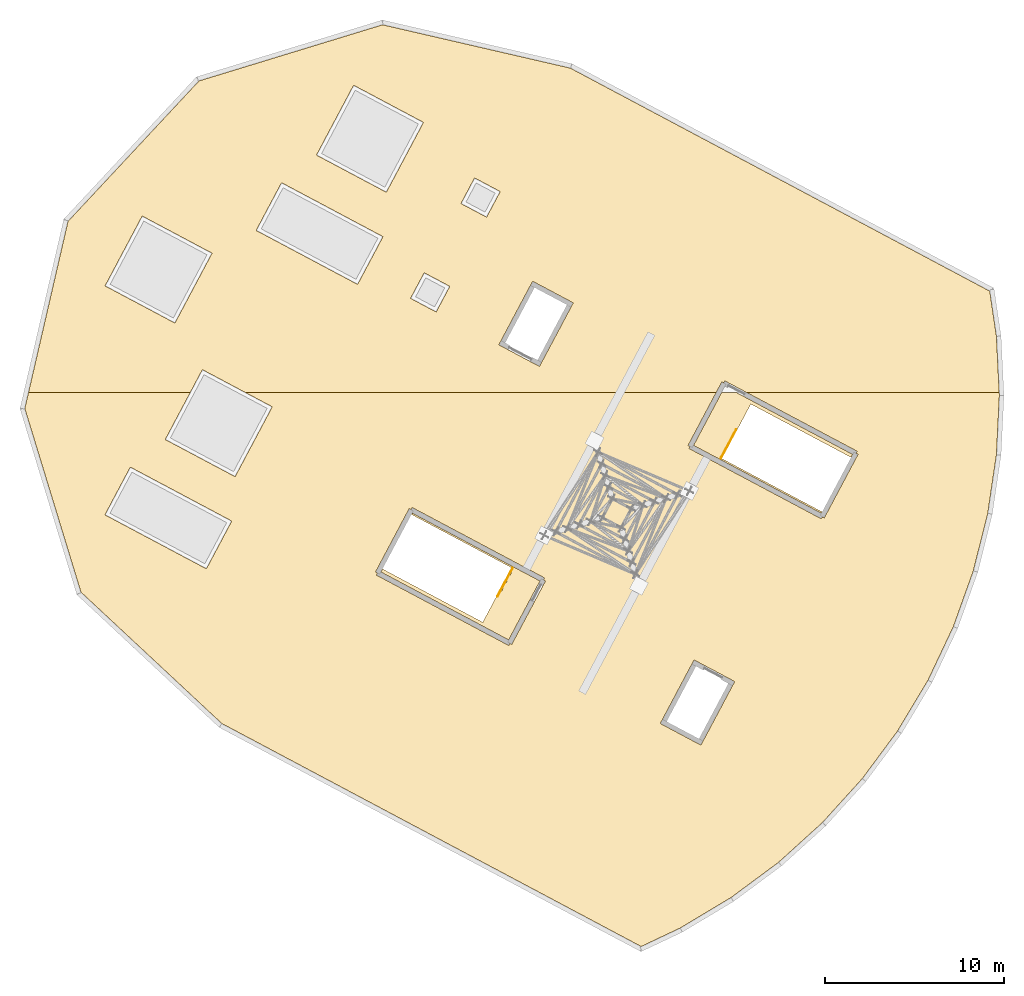
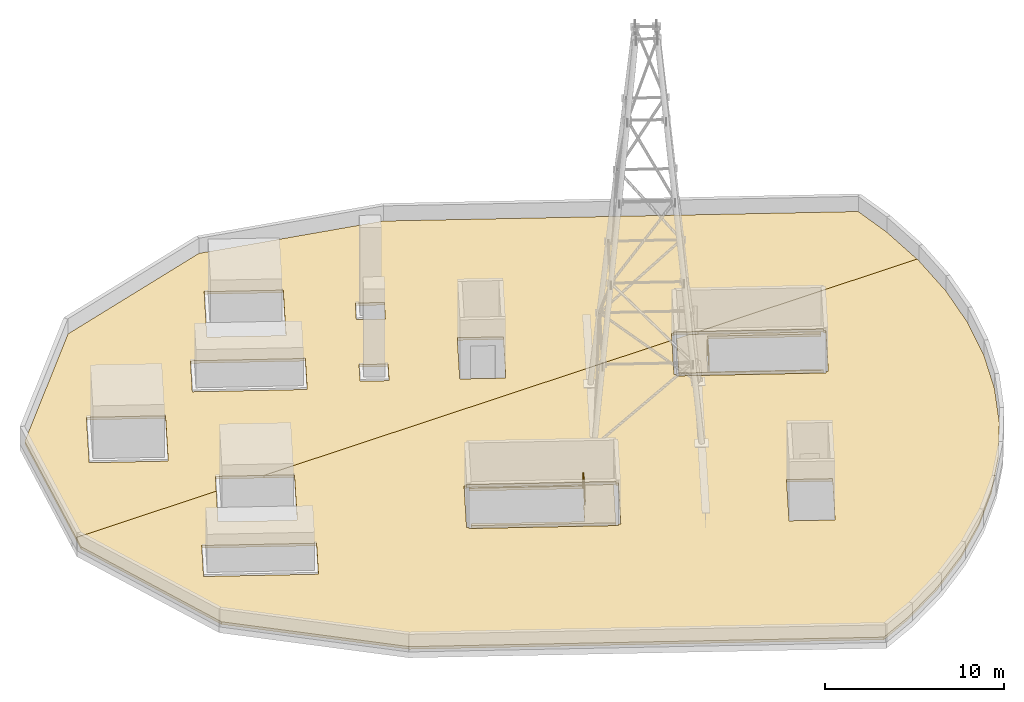
# One storey, part 4 of 5: 4 coverings, 2 railings.
"""IFC4 building model written with IfcOpenShell, lengths in metres."""

from ifc_helpers import new_model, si_unit, direction, frame, origin, place, context, subcontext, project, spatial, polyline, outline, extrude, material, layer, layer_set, type_object, element, save


model = new_model("IFC4")

# Units and contexts
model_context = context("Model", 3, precision=1e-05, world=origin(), true_north=direction((0.0, 1.0)))
body_context = subcontext(model_context, "Body", "Model", "MODEL_VIEW")
ifc_project = project(units=[si_unit("LENGTHUNIT", "METRE"), si_unit("AREAUNIT", "SQUARE_METRE"), si_unit("VOLUMEUNIT", "CUBIC_METRE"), si_unit("PLANEANGLEUNIT", "RADIAN"), si_unit("MASSUNIT", "GRAM", prefix="KILO")], contexts=[model_context])

# Site, building, storey
site_placement = place(None, origin())
site = spatial("IfcSite", under=ifc_project, at=site_placement, CompositionType="ELEMENT")
building_placement = place(site_placement, origin())
building = spatial("IfcBuilding", under=site, at=building_placement, Name="Cormorant Relay Tower", CompositionType="ELEMENT")
storey_placement = place(building_placement, frame((0.0, 0.0, 357.60009765625)))
storey = spatial("IfcBuildingStorey", under=building, at=storey_placement, Name="RF", CompositionType="ELEMENT", Elevation=357.60009765625)

# Coverings
ifc_material_1 = material(Name="Bituminous waterproof membrane on mineral wool insulation")
ifc_layer = layer(ifc_material_1, 0.179931640625)
ifc_layer_set = layer_set([ifc_layer], Name="Roof membrane and insulation 180")
covering_type = type_object("IfcCoveringType", Name="Roof membrane and insulation 180", PredefinedType="ROOFING", material=ifc_layer_set)
covering_1_placement = place(storey_placement, origin())
element("IfcCovering", 1, at=covering_1_placement, inside=storey, type_object=covering_type, Name="Roof membrane", PredefinedType="ROOFING", context=body_context, shape_type="SweptSolid", body=[
    extrude(outline(polyline([(-6.00146484375, 21.300048828125), (-5.992919921875, 21.126220703125), (-6.155517578125, 17.819091796875), (-6.641357421875, 14.5439453125), (-7.44580078125, 11.33203125), (-8.561279296875, 8.214599609375), (-9.976806640625, 5.221435546875), (-11.67919921875, 2.381591796875), (-13.651611328125, -0.278076171875), (-15.875, -2.731201171875), (-18.328369140625, -4.954833984375), (-20.98779296875, -6.92724609375), (-23.827880859375, -8.62939453125), (-26.00830078125, -9.66064453125), (-49.439208984375, 2.7978515625), (-57.3134765625, 10.140625), (-60.45068359375, 20.402587890625), (-60.24365234375, 21.300048828125), (-51.203857421875, 21.300048828125), (-52.601806640625, 18.670654296875), (-48.69921875, 16.595458984375), (-46.624267578125, 20.498046875), (-48.13232421875, 21.300048828125), (-21.813720703125, 21.300048828125), (-23.38671875, 18.34130859375), (-23.2763671875, 18.28271484375), (-23.335205078125, 18.172119140625), (-15.944580078125, 14.24267578125), (-15.885986328125, 14.35302734375), (-15.775634765625, 14.29443359375), (-13.888427734375, 17.843994140625), (-13.998779296875, 17.902587890625), (-13.940185546875, 18.012939453125), (-20.1220703125, 21.300048828125), (-6.00146484375, 21.300048828125)]), holes=[polyline([(-20.78271484375, 5.14404296875), (-23.052001953125, 6.3505859375), (-23.173828125, 6.12109375), (-24.8125, 3.03955078125), (-24.8125, 3.03955078125), (-24.939208984375, 2.801025390625), (-22.669921875, 1.594482421875), (-22.5478515625, 1.82421875), (-20.900146484375, 4.92333984375), (-20.900146484375, 4.92333984375), (-20.78271484375, 5.14404296875)]), polyline([(-40.743896484375, 11.20458984375), (-40.802490234375, 11.09423828125), (-33.412353515625, 7.164794921875), (-33.353759765625, 7.275146484375), (-33.243408203125, 7.21630859375), (-31.35595703125, 10.765869140625), (-31.46630859375, 10.82470703125), (-31.40771484375, 10.93505859375), (-38.798095703125, 14.864501953125), (-38.856689453125, 14.754150390625), (-38.967041015625, 14.812744140625), (-40.854248046875, 11.26318359375), (-40.743896484375, 11.20458984375)]), polyline([(-50.3046875, 11.4462890625), (-48.88671875, 14.11279296875), (-54.55517578125, 17.126953125), (-55.972900390625, 14.46044921875), (-50.3046875, 11.4462890625)])]), origin(), (0.0, 0.0, 1.0), 0.179931640625),
])
covering_2_placement = place(storey_placement, origin())
element("IfcCovering", 2, at=covering_2_placement, inside=storey, type_object=covering_type, Name="Roof membrane", PredefinedType="ROOFING", context=body_context, shape_type="SweptSolid", body=[
    extrude(outline(polyline([(-20.697265625, 21.300048828125), (-14.19482421875, 17.8427734375), (-14.2841796875, 17.6748046875), (-19.882080078125, 20.6513671875), (-20.64111328125, 19.2236328125), (-20.64111328125, 19.22412109375), (-20.64208984375, 19.229736328125), (-20.643310546875, 19.235595703125), (-20.6455078125, 19.240966796875), (-20.64794921875, 19.246337890625), (-20.65087890625, 19.25146484375), (-20.654541015625, 19.256103515625), (-20.658447265625, 19.260498046875), (-20.662841796875, 19.264404296875), (-20.66748046875, 19.267822265625), (-20.672607421875, 19.27099609375), (-20.677978515625, 19.2734375), (-20.68359375, 19.275390625), (-20.689208984375, 19.27685546875), (-20.695068359375, 19.277587890625), (-20.700927734375, 19.278076171875), (-20.706787109375, 19.277587890625), (-20.712646484375, 19.27685546875), (-20.71826171875, 19.275390625), (-20.723876953125, 19.273193359375), (-20.729248046875, 19.270751953125), (-20.734130859375, 19.267822265625), (-20.739013671875, 19.264404296875), (-20.743408203125, 19.26025390625), (-20.747314453125, 19.255859375), (-20.750732421875, 19.251220703125), (-20.753662109375, 19.246337890625), (-21.598876953125, 17.656494140625), (-21.601318359375, 17.651611328125), (-21.603271484375, 17.64599609375), (-21.604736328125, 17.64013671875), (-21.605712890625, 17.634521484375), (-21.60595703125, 17.62841796875), (-21.605712890625, 17.62255859375), (-21.604736328125, 17.61669921875), (-21.603271484375, 17.611083984375), (-21.601318359375, 17.605712890625), (-21.5986328125, 17.60009765625), (-21.595703125, 17.59521484375), (-21.59228515625, 17.590576171875), (-21.588134765625, 17.586181640625), (-21.583740234375, 17.582275390625), (-21.5791015625, 17.57861328125), (-21.573974609375, 17.57568359375), (-21.568603515625, 17.572998046875), (-21.56298828125, 17.5712890625), (-21.557373046875, 17.56982421875), (-21.551513671875, 17.56884765625), (-21.545654296875, 17.568603515625), (-21.539794921875, 17.56884765625), (-21.533935546875, 17.56982421875), (-21.5283203125, 17.5712890625), (-21.522705078125, 17.5732421875), (-21.517333984375, 17.57568359375), (-21.512451171875, 17.578857421875), (-21.5078125, 17.582275390625), (-21.50341796875, 17.586181640625), (-21.49951171875, 17.5908203125), (-21.495849609375, 17.595458984375), (-21.492919921875, 17.600341796875), (-21.492919921875, 17.6005859375), (-15.90380859375, 14.628662109375), (-15.946044921875, 14.54931640625), (-23.080322265625, 18.342529296875), (-21.5078125, 21.300048828125), (-20.697265625, 21.300048828125)])), origin(), (0.0, 0.0, 1.0), 0.179931640625),
])
covering_3_placement = place(storey_placement, origin())
element("IfcCovering", 3, at=covering_3_placement, inside=storey, type_object=covering_type, Name="Roof membrane", PredefinedType="ROOFING", context=body_context, shape_type="SweptSolid", body=[
    extrude(outline(polyline([(-34.101806640625, 9.88330078125), (-34.101806640625, 9.88330078125), (-34.100830078125, 9.87744140625), (-34.099365234375, 9.87158203125), (-34.097412109375, 9.8662109375), (-34.0947265625, 9.86083984375), (-34.091796875, 9.855712890625), (-34.08837890625, 9.85107421875), (-34.084228515625, 9.8466796875), (-34.079833984375, 9.8427734375), (-34.0751953125, 9.83935546875), (-34.070068359375, 9.836181640625), (-34.064697265625, 9.833740234375), (-34.05908203125, 9.831787109375), (-34.053466796875, 9.830322265625), (-34.047607421875, 9.82958984375), (-34.041748046875, 9.829345703125), (-34.035888671875, 9.82958984375), (-34.030029296875, 9.83056640625), (-34.0244140625, 9.831787109375), (-34.018798828125, 9.833984375), (-34.013427734375, 9.83642578125), (-34.008544921875, 9.839599609375), (-34.00390625, 9.843017578125), (-33.99951171875, 9.846923828125), (-33.99560546875, 9.851318359375), (-33.991943359375, 9.856201171875), (-33.989013671875, 9.86083984375), (-33.143798828125, 11.45068359375), (-33.141357421875, 11.455810546875), (-33.139404296875, 11.461181640625), (-33.137939453125, 11.467041015625), (-33.13720703125, 11.472900390625), (-33.136962890625, 11.478759765625), (-33.13720703125, 11.484619140625), (-33.13818359375, 11.490478515625), (-33.139404296875, 11.49609375), (-33.1416015625, 11.501708984375), (-33.14404296875, 11.507080078125), (-33.147216796875, 11.511962890625), (-33.150634765625, 11.516845703125), (-33.154541015625, 11.52099609375), (-33.158935546875, 11.525146484375), (-33.163818359375, 11.528564453125), (-33.168701171875, 11.531494140625), (-33.174072265625, 11.5341796875), (-33.1796875, 11.5361328125), (-33.185302734375, 11.53759765625), (-33.191162109375, 11.538330078125), (-33.197021484375, 11.53857421875), (-33.202880859375, 11.538330078125), (-33.208740234375, 11.537353515625), (-33.21435546875, 11.535888671875), (-33.219970703125, 11.533935546875), (-33.225341796875, 11.531494140625), (-33.23046875, 11.5283203125), (-33.235107421875, 11.52490234375), (-33.239501953125, 11.52099609375), (-33.243408203125, 11.5166015625), (-33.246826171875, 11.51171875), (-33.249755859375, 11.507080078125), (-33.25, 11.5068359375), (-38.839111328125, 14.478515625), (-38.796630859375, 14.55810546875), (-31.662353515625, 10.7646484375), (-33.41357421875, 7.47119140625), (-40.5478515625, 11.2646484375), (-40.45849609375, 11.432373046875), (-34.860595703125, 8.455810546875), (-34.101806640625, 9.88330078125)])), origin(), (0.0, 0.0, 1.0), 0.179931640625),
])
covering_4_placement = place(storey_placement, origin())
element("IfcCovering", 4, at=covering_4_placement, inside=storey, type_object=covering_type, Name="Roof membrane", PredefinedType="ROOFING", context=body_context, shape_type="SweptSolid", body=[
    extrude(outline(polyline([(-60.24365234375, 21.300048828125), (-58.036865234375, 30.85888671875), (-50.71826171875, 38.70703125), (-40.4560546875, 41.844482421875), (-29.965576171875, 39.422607421875), (-6.530517578125, 26.9619140625), (-6.155517578125, 24.433349609375), (-6.00146484375, 21.300048828125), (-20.1220703125, 21.300048828125), (-21.33056640625, 21.9423828125), (-21.38916015625, 21.83203125), (-21.49951171875, 21.890869140625), (-21.813720703125, 21.300048828125), (-48.13232421875, 21.300048828125), (-50.52685546875, 22.572998046875), (-51.203857421875, 21.300048828125), (-60.24365234375, 21.300048828125)]), holes=[polyline([(-33.837890625, 24.19287109375), (-33.9599609375, 23.963134765625), (-31.69091796875, 22.756591796875), (-31.573486328125, 22.977294921875), (-31.573486328125, 22.977294921875), (-29.930419921875, 26.067626953125), (-29.930419921875, 26.067626953125), (-29.8037109375, 26.30615234375), (-32.07275390625, 27.5126953125), (-32.199462890625, 27.2744140625), (-32.199462890625, 27.2744140625), (-33.837890625, 24.19287109375)]), polyline([(-34.64697265625, 31.095703125), (-33.886474609375, 32.52587890625), (-35.31689453125, 33.28662109375), (-36.077392578125, 31.856201171875), (-34.64697265625, 31.095703125)]), polyline([(-36.703369140625, 27.228271484375), (-38.133544921875, 27.98876953125), (-38.894287109375, 26.55859375), (-37.4638671875, 25.7978515625), (-36.703369140625, 27.228271484375)]), polyline([(-40.248779296875, 32.488525390625), (-38.173583984375, 36.39111328125), (-42.076416015625, 38.46630859375), (-44.1513671875, 34.563720703125), (-40.248779296875, 32.488525390625)]), polyline([(-41.85400390625, 27.33935546875), (-40.436279296875, 30.005859375), (-46.104736328125, 33.02001953125), (-47.5224609375, 30.353515625), (-41.85400390625, 27.33935546875)]), polyline([(-49.988037109375, 29.08203125), (-53.890625, 31.156982421875), (-55.9658203125, 27.25439453125), (-52.06298828125, 25.179443359375), (-49.988037109375, 29.08203125)])]), origin(), (0.0, 0.0, 1.0), 0.179931640625),
])

# Railings
ifc_material_2 = material(Name="Steel ASTM A572 Grade 50 (Fy 345 MPa)", Category="steel")
railing_type = type_object("IfcRailingType", Name="Stair guard 1100", PredefinedType="GUARDRAIL", material=ifc_material_2)
railing_1_placement = place(storey_placement, frame((-21.5458984375, 17.628662109375, 0.0)))
element("IfcRailing", 5, at=railing_1_placement, inside=storey, type_object=railing_type, Name="RF A1 top well guard 1", PredefinedType="GUARDRAIL", context=body_context, shape_type="SweptSolid", body=[
    extrude(outline(polyline([(0.022216796875, 0.00927734375), (0.00927734375, 0.022216796875), (-0.00927734375, 0.022216796875), (-0.022216796875, 0.00927734375), (-0.022216796875, -0.00927734375), (-0.00927734375, -0.022216796875), (0.00927734375, -0.022216796875), (0.022216796875, -0.00927734375), (0.022216796875, 0.00927734375)])), frame((0.0, 0.0, 1.076171875), z_axis=(0.469531998299, 0.882915456073, 0.0), x_axis=(-0.882915456073, 0.469531998299, 0.0)), (0.0, 0.0, 1.0), 1.800048828125),
    extrude(outline(polyline([(0.019287109375, 0.008056640625), (0.008056640625, 0.019287109375), (-0.008056640625, 0.019287109375), (-0.019287109375, 0.008056640625), (-0.019287109375, -0.008056640625), (-0.008056640625, -0.019287109375), (0.008056640625, -0.019287109375), (0.019287109375, -0.008056640625), (0.019287109375, 0.008056640625)])), origin(), (0.0, 0.0, 1.0), 1.052001953125),
    extrude(outline(polyline([(0.019287109375, 0.008056640625), (0.008056640625, 0.019287109375), (-0.008056640625, 0.019287109375), (-0.019287109375, 0.008056640625), (-0.019287109375, -0.008056640625), (-0.008056640625, -0.019287109375), (0.008056640625, -0.019287109375), (0.019287109375, -0.008056640625), (0.019287109375, 0.008056640625)])), frame((0.422607421875, 0.794677734375, 0.0)), (0.0, 0.0, 1.0), 1.052001953125),
    extrude(outline(polyline([(0.019287109375, 0.008056640625), (0.008056640625, 0.019287109375), (-0.008056640625, 0.019287109375), (-0.019287109375, 0.008056640625), (-0.019287109375, -0.008056640625), (-0.008056640625, -0.019287109375), (0.008056640625, -0.019287109375), (0.019287109375, -0.008056640625), (0.019287109375, 0.008056640625)])), frame((0.84521484375, 1.58935546875, 0.0)), (0.0, 0.0, 1.0), 1.052001953125),
])
railing_2_placement = place(storey_placement, frame((-33.197021484375, 11.478515625, 0.0)))
element("IfcRailing", 6, at=railing_2_placement, inside=storey, type_object=railing_type, Name="RF A2 top well guard 1", PredefinedType="GUARDRAIL", context=body_context, shape_type="SweptSolid", body=[
    extrude(outline(polyline([(0.022216796875, 0.00927734375), (0.00927734375, 0.022216796875), (-0.00927734375, 0.022216796875), (-0.022216796875, 0.00927734375), (-0.022216796875, -0.00927734375), (-0.00927734375, -0.022216796875), (0.00927734375, -0.022216796875), (0.022216796875, -0.00927734375), (0.022216796875, 0.00927734375)])), frame((0.0, 0.0, 1.076171875), z_axis=(-0.469482487893, -0.88294178379, 0.0), x_axis=(0.88294178379, -0.469482487893, 0.0)), (0.0, 0.0, 1.0), 1.7998046875),
    extrude(outline(polyline([(0.019287109375, 0.008056640625), (0.008056640625, 0.019287109375), (-0.008056640625, 0.019287109375), (-0.019287109375, 0.008056640625), (-0.019287109375, -0.008056640625), (-0.008056640625, -0.019287109375), (0.008056640625, -0.019287109375), (0.019287109375, -0.008056640625), (0.019287109375, 0.008056640625)])), origin(), (0.0, 0.0, 1.0), 1.052001953125),
    extrude(outline(polyline([(0.019287109375, 0.008056640625), (0.008056640625, 0.019287109375), (-0.008056640625, 0.019287109375), (-0.019287109375, 0.008056640625), (-0.019287109375, -0.008056640625), (-0.008056640625, -0.019287109375), (0.008056640625, -0.019287109375), (0.019287109375, -0.008056640625), (0.019287109375, 0.008056640625)])), frame((-0.42236328125, -0.79443359375, 0.0)), (0.0, 0.0, 1.0), 1.052001953125),
    extrude(outline(polyline([(0.019287109375, 0.008056640625), (0.008056640625, 0.019287109375), (-0.008056640625, 0.019287109375), (-0.019287109375, 0.008056640625), (-0.019287109375, -0.008056640625), (-0.008056640625, -0.019287109375), (0.008056640625, -0.019287109375), (0.019287109375, -0.008056640625), (0.019287109375, 0.008056640625)])), frame((-0.844970703125, -1.589111328125, 0.0)), (0.0, 0.0, 1.0), 1.052001953125),
])

save(model, "model.ifc")
